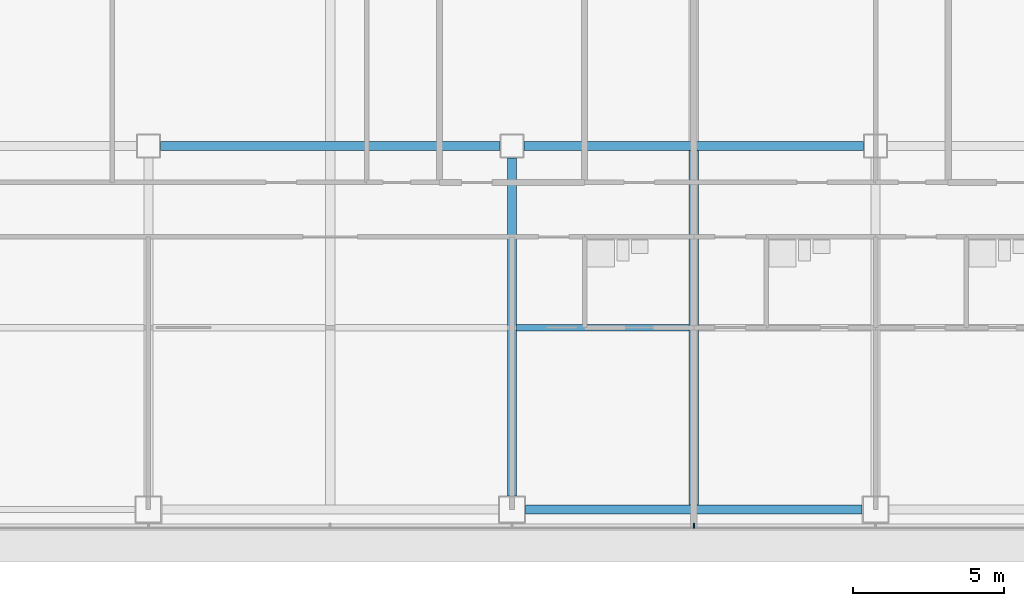
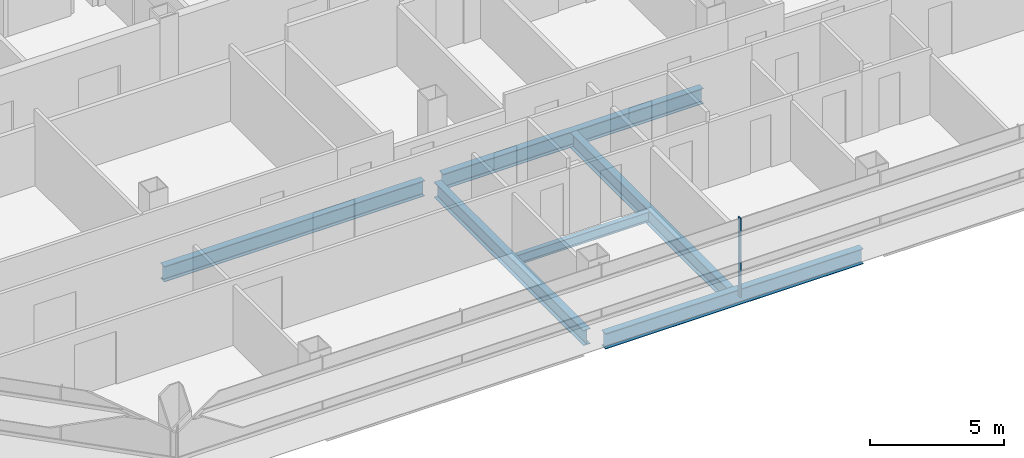
# One storey, part 3 of 26: 6 beams, 1 member, 1 element without a shape of its own.
"""IFC4 building model written with IfcOpenShell, lengths in metres."""

from ifc_helpers import new_model, si_unit, direction, frame, origin, origin_2d, place, context, subcontext, project, spatial, rectangle, i_section, extrude, material, material_profile, profile_set, type_object, element, aggregate, save


model = new_model("IFC4")

# Units and contexts
model_context = context("Model", 3, precision=1e-05, world=origin(), true_north=direction((0.0, 1.0)))
body_context = subcontext(model_context, "Body", "Model", "MODEL_VIEW")
ifc_project = project(units=[si_unit("LENGTHUNIT", "METRE"), si_unit("AREAUNIT", "SQUARE_METRE"), si_unit("VOLUMEUNIT", "CUBIC_METRE"), si_unit("PLANEANGLEUNIT", "RADIAN"), si_unit("MASSUNIT", "GRAM", prefix="KILO")], contexts=[model_context])

# Site, building, storey
site_placement = place(None, origin())
site = spatial("IfcSite", under=ifc_project, at=site_placement, CompositionType="ELEMENT")
building_placement = place(site_placement, origin())
building = spatial("IfcBuilding", under=site, at=building_placement, Name="Sorahane Residences", CompositionType="ELEMENT")
storey_placement = place(building_placement, frame((0.0, 0.0, 71.39990234375)))
storey = spatial("IfcBuildingStorey", under=building, at=storey_placement, Name="L14", CompositionType="ELEMENT", Elevation=71.39990234375)

# Curtain wall, member
ifc_material_1 = material(Name="Dark low-e glass and black anodised aluminium", Category="aluminium")
curtain_wall_type = type_object("IfcCurtainWallType", Name="Curtain wall CW-1 Typical unitised wall", PredefinedType="NOTDEFINED", material=ifc_material_1)
curtain_wall_placement = place(storey_placement, origin())
curtain_wall = element("IfcCurtainWall", 1, at=curtain_wall_placement, inside=storey, type_object=curtain_wall_type, Name="CW-1 curtain wall L14 S1", PredefinedType="NOTDEFINED")
ifc_material_2 = material(Name="Black anodised aluminium", Category="aluminium")
ifc_material_profile_1 = material_profile(ifc_material_2, rectangle(XDim=0.159912109375, YDim=0.050048828125, at=origin_2d()), Name="Curtain wall mullion CW-1 black anodised aluminium 50x160")
ifc_profile_set_1 = profile_set([ifc_material_profile_1], Name="Black anodised aluminium")
member_type = type_object("IfcMemberType", Name="Curtain wall mullion CW-1 black anodised aluminium 50x160", PredefinedType="MULLION", material=ifc_profile_set_1)
member_placement = place(storey_placement, frame((30.0, -0.5400390625, -0.179931640625), z_axis=(0.0, 0.0, 1.0), x_axis=(0.0, -1.0, 0.0)))
member = element("IfcMember", 2, at=member_placement, type_object=member_type, Name="CW-1 mullion L14 S1.5", PredefinedType="MULLION", context=body_context, shape_type="SweptSolid", body=[
    extrude(rectangle(XDim=0.159912109375, YDim=0.050048828125, at=origin_2d()), origin(), (0.0, 0.0, 1.0), 3.60009765625),
])
aggregate(curtain_wall, [member])

# Beams
ifc_material_3 = material(Name="Steel Q355B", Category="steel")
ifc_material_profile_2 = material_profile(ifc_material_3, i_section(OverallWidth=0.199951171875, OverallDepth=0.449951171875, WebThickness=0.009033203125, FlangeThickness=0.013916015625, FilletRadius=0.02001953125, at=origin_2d()), Name="HN 450x200x9x14")
ifc_profile_set_2 = profile_set([ifc_material_profile_2], Name="Steel Q355B")
beam_type_1 = type_object("IfcBeamType", Name="Steel floor beam HN 450x200x9x14 Q355B", PredefinedType="BEAM", material=ifc_profile_set_2)
beam_1_placement = place(storey_placement, frame((24.14990234375, 6.0, -0.40478515625), z_axis=(1.0, 0.0, 0.0), x_axis=(0.0, 1.0, 0.0)))
element("IfcBeam", 3, at=beam_1_placement, inside=storey, type_object=beam_type_1, Name="Beam L14 065", PredefinedType="BEAM", context=body_context, shape_type="SweptSolid", body=[
    extrude(i_section(OverallWidth=0.199951171875, OverallDepth=0.449951171875, WebThickness=0.009033203125, FlangeThickness=0.013916015625, FilletRadius=0.02001953125, at=origin_2d()), origin(), (0.0, 0.0, 1.0), 5.7001953125),
])
ifc_material_4 = material(Name="Steel Q355B", Category="steel")
ifc_material_profile_3 = material_profile(ifc_material_4, i_section(OverallWidth=0.300048828125, OverallDepth=0.699951171875, WebThickness=0.012939453125, FlangeThickness=0.02392578125, FilletRadius=0.028076171875, at=origin_2d()), Name="HN 700x300x13x24")
ifc_profile_set_3 = profile_set([ifc_material_profile_3], Name="Steel Q355B")
beam_type_2 = type_object("IfcBeamType", Name="Steel floor beam HN 700x300x13x24 Q355B", PredefinedType="BEAM", material=ifc_profile_set_3)
beam_2_placement = place(storey_placement, frame((24.449951171875, 0.0, -0.52978515625), z_axis=(1.0, 0.0, 0.0), x_axis=(0.0, 1.0, 0.0)))
element("IfcBeam", 4, at=beam_2_placement, inside=storey, type_object=beam_type_2, Name="Beam L14 002", PredefinedType="BEAM", context=body_context, shape_type="SweptSolid", body=[
    extrude(i_section(OverallWidth=0.300048828125, OverallDepth=0.699951171875, WebThickness=0.012939453125, FlangeThickness=0.02392578125, FilletRadius=0.028076171875, at=origin_2d()), origin(), (0.0, 0.0, 1.0), 11.10009765625),
])
for number, where, z_axis, x_axis, name in (
    (5, (12.39990234375, 12.0, -0.52978515625), (1.0, 0.0, 0.0), (0.0, 1.0, 0.0), "Beam L14 006"),
    (6, (24.39990234375, 12.0, -0.52978515625), (1.0, 0.0, 0.0), (0.0, 1.0, 0.0), "Beam L14 007"),
):
    element("IfcBeam", number, at=place(storey_placement, frame(where, z_axis=z_axis, x_axis=x_axis)), inside=storey, type_object=beam_type_2, Name=name, PredefinedType="BEAM", context=body_context, shape_type="SweptSolid", body=[
        extrude(i_section(OverallWidth=0.300048828125, OverallDepth=0.699951171875, WebThickness=0.012939453125, FlangeThickness=0.02392578125, FilletRadius=0.028076171875, at=origin_2d()), origin(), (0.0, 0.0, 1.0), 11.2001953125),
    ])
beam_3_placement = place(storey_placement, frame((24.0, 0.449951171875, -0.52978515625), z_axis=(0.0, 1.0, 0.0), x_axis=(-1.0, 0.0, 0.0)))
element("IfcBeam", 7, at=beam_3_placement, inside=storey, type_object=beam_type_2, Name="Beam L14 035", PredefinedType="BEAM", context=body_context, shape_type="SweptSolid", body=[
    extrude(i_section(OverallWidth=0.300048828125, OverallDepth=0.699951171875, WebThickness=0.012939453125, FlangeThickness=0.02392578125, FilletRadius=0.028076171875, at=origin_2d()), origin(), (0.0, 0.0, 1.0), 11.150146484375),
])
beam_4_placement = place(storey_placement, frame((30.0, 0.14990234375, -0.52978515625), z_axis=(0.0, 1.0, 0.0), x_axis=(-1.0, 0.0, 0.0)))
element("IfcBeam", 8, at=beam_4_placement, inside=storey, type_object=beam_type_2, Name="Beam L14 037", PredefinedType="BEAM", context=body_context, shape_type="SweptSolid", body=[
    extrude(i_section(OverallWidth=0.300048828125, OverallDepth=0.699951171875, WebThickness=0.012939453125, FlangeThickness=0.02392578125, FilletRadius=0.028076171875, at=origin_2d()), origin(), (0.0, 0.0, 1.0), 11.7001953125),
])

save(model, "model.ifc")
